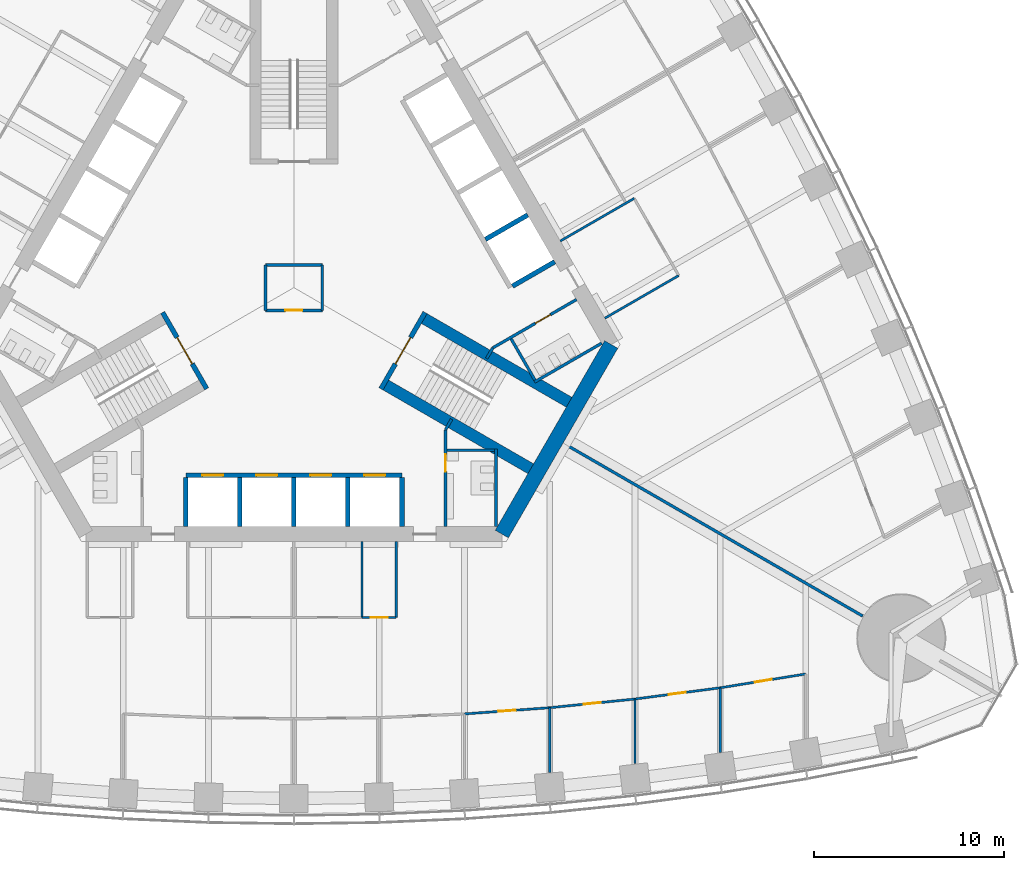
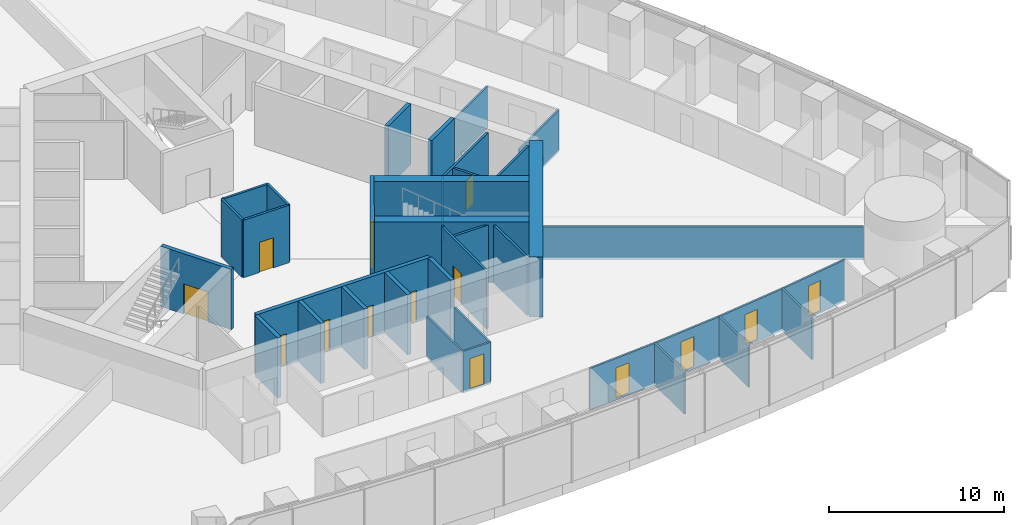
# One storey, part 11 of 19: 38 walls, 14 doors, 14 openings.
"""IFC4 building model written with IfcOpenShell, lengths in metres."""

from ifc_helpers import new_model, si_unit, direction, frame, frame_2d, origin, place, context, subcontext, project, spatial, rectangle, extrude, material, layer, layer_set, type_object, element, fill, save


model = new_model("IFC4")

# Units and contexts
model_context = context("Model", 3, precision=1e-05, world=origin(), true_north=direction((0.0, 1.0)))
body_context = subcontext(model_context, "Body", "Model", "MODEL_VIEW")
ifc_project = project(units=[si_unit("LENGTHUNIT", "METRE"), si_unit("AREAUNIT", "SQUARE_METRE"), si_unit("VOLUMEUNIT", "CUBIC_METRE"), si_unit("PLANEANGLEUNIT", "RADIAN"), si_unit("MASSUNIT", "GRAM", prefix="KILO")], contexts=[model_context])

# Site, building, storey
site_placement = place(None, origin())
site = spatial("IfcSite", under=ifc_project, at=site_placement, CompositionType="ELEMENT")
building_placement = place(site_placement, origin())
building = spatial("IfcBuilding", under=site, at=building_placement, Name="Trefoil Bronze Tower", CompositionType="ELEMENT")
storey_placement = place(building_placement, frame((0.0, 0.0, 20.699951171875)))
storey = spatial("IfcBuildingStorey", under=building, at=storey_placement, Name="L04", CompositionType="ELEMENT", Elevation=20.699951171875)

# Wall
ifc_material_1 = material(Name="Concrete B80", Category="concrete")
ifc_layer_1 = layer(ifc_material_1, 0.800048828125)
ifc_layer_set_1 = layer_set([ifc_layer_1], Name="Core wall 800")
wall_type_1 = type_object("IfcWallType", Name="Core wall 800", PredefinedType="SHEAR", material=ifc_layer_set_1)
wall_1_placement = place(storey_placement, frame((10.9697265625, -13.0, 0.0), z_axis=(0.0, 0.0, 1.0), x_axis=(0.499995765644, 0.866027848477, 0.0)))
element("IfcWall", 1, at=wall_1_placement, inside=storey, type_object=wall_type_1, Name="Core short wall 1 L04", PredefinedType="SHEAR", context=body_context, shape_type="SweptSolid", body=[
    extrude(rectangle(XDim=11.546875, YDim=0.800048828125, at=frame_2d((5.7734375, 0.0))), origin(), (0.0, 0.0, 1.0), 4.199951171875),
])

# Wall, opening, door
ifc_material_2 = material(Name="Glazed partition", Category="glass")
ifc_layer_2 = layer(ifc_material_2, 0.1201171875)
ifc_layer_set_2 = layer_set([ifc_layer_2], Name="Glazed partition 120")
wall_type_2 = type_object("IfcWallType", Name="Glazed partition 120", PredefinedType="PARTITIONING", material=ifc_layer_set_2)
wall_2_placement = place(storey_placement, frame((3.60009765625, -17.39990234375, 0.0), z_axis=(0.0, 0.0, 1.0), x_axis=(1.0, 0.0, 0.0)))
wall_2 = element("IfcWall", 2, at=wall_2_placement, inside=storey, type_object=wall_type_2, Name="Partition F1 L04", PredefinedType="PARTITIONING", context=body_context, shape_type="SweptSolid", body=[
    extrude(rectangle(XDim=1.7998046875, YDim=0.1201171875, at=frame_2d((0.89990234375, 0.0))), origin(), (0.0, 0.0, 1.0), 2.900146484375),
])
opening_1_placement = place(wall_2_placement, frame((0.449951171875, 0.0, 0.14990234375)))
opening_1 = element("IfcOpeningElement", 3, at=opening_1_placement, cuts=wall_2, Name="Opening D8", PredefinedType="OPENING", context=body_context, shape_type="SweptSolid", body=[
    extrude(rectangle(XDim=0.89990234375, YDim=2.10009765625, at=frame_2d((0.449951171875, 1.050048828125))), frame((0.0, 0.070068359375, 0.0), z_axis=(0.0, -1.0, 0.0), x_axis=(1.0, 0.0, 0.0)), (0.0, 0.0, 1.0), 0.14013671875),
])
ifc_material_3 = material(Name="Timber door", Category="wood")
door_type_1 = type_object("IfcDoorType", Name="Office door 900", OperationType="SINGLE_SWING_LEFT", PredefinedType="DOOR", material=ifc_material_3)
door_1_placement = place(opening_1_placement, origin())
door_1 = element("IfcDoor", 4, at=door_1_placement, inside=storey, type_object=door_type_1, Name="Phone room door F1 L04", OperationType="SINGLE_SWING_LEFT", OverallHeight=2.10009765625, OverallWidth=0.89990234375, PredefinedType="DOOR", context=body_context, shape_type="SweptSolid", body=[
    extrude(rectangle(XDim=0.89990234375, YDim=2.10009765625, at=frame_2d((0.449951171875, 1.050048828125))), frame((0.0, 0.02490234375, 0.0), z_axis=(0.0, -1.0, 0.0), x_axis=(1.0, 0.0, 0.0)), (0.0, 0.0, 1.0), 0.050048828125),
])
fill(opening_1, door_1)

# Walls
for number, where, z_axis, x_axis, name in (
    (5, (3.60009765625, -13.39990234375, 0.0), (0.0, 0.0, 1.0), (0.0, -1.0, 0.0), "Partition F1 L04"),
    (6, (5.39990234375, -13.39990234375, 0.0), (0.0, 0.0, 1.0), (0.0, -1.0, 0.0), "Partition F1 L04"),
):
    element("IfcWall", number, at=place(storey_placement, frame(where, z_axis=z_axis, x_axis=x_axis)), inside=storey, type_object=wall_type_2, Name=name, PredefinedType="PARTITIONING", context=body_context, shape_type="SweptSolid", body=[
        extrude(rectangle(XDim=4.0, YDim=0.1201171875, at=frame_2d((2.0, 0.0))), origin(), (0.0, 0.0, 1.0), 2.900146484375),
    ])

# Wall, opening, door
wall_3_placement = place(storey_placement, frame((13.5, -22.159912109375, 0.0), z_axis=(0.0, 0.0, 1.0), x_axis=(0.994833141332, 0.101523499286, 0.0)))
wall_3 = element("IfcWall", 7, at=wall_3_placement, inside=storey, type_object=wall_type_2, Name="Partition F1 L04", PredefinedType="PARTITIONING", context=body_context, shape_type="SweptSolid", body=[
    extrude(rectangle(XDim=4.5234375, YDim=0.1201171875, at=frame_2d((2.26171875, 0.0))), origin(), (0.0, 0.0, 1.0), 2.900146484375),
])
opening_2_placement = place(wall_3_placement, frame((1.800048828125, 0.0, 0.14990234375)))
opening_2 = element("IfcOpeningElement", 8, at=opening_2_placement, cuts=wall_3, Name="Opening D8", PredefinedType="OPENING", context=body_context, shape_type="SweptSolid", body=[
    extrude(rectangle(XDim=0.89990234375, YDim=2.10009765625, at=frame_2d((0.449951171875, 1.050048828125))), frame((0.0, 0.070068359375, 0.0), z_axis=(0.0, -1.0, 0.0), x_axis=(1.0, 0.0, 0.0)), (0.0, 0.0, 1.0), 0.14013671875),
])
door_2_placement = place(opening_2_placement, frame((0.89990234375, 0.0, 0.0), z_axis=(0.0, 0.0, 1.0), x_axis=(-1.0, 0.0, 0.0)))
door_2 = element("IfcDoor", 9, at=door_2_placement, inside=storey, type_object=door_type_1, Name="Office door F1 L04", OperationType="SINGLE_SWING_RIGHT", OverallHeight=2.10009765625, OverallWidth=0.89990234375, PredefinedType="DOOR", context=body_context, shape_type="SweptSolid", body=[
    extrude(rectangle(XDim=0.89990234375, YDim=2.10009765625, at=frame_2d((0.449951171875, 1.050048828125))), frame((0.0, 0.02490234375, 0.0), z_axis=(0.0, -1.0, 0.0), x_axis=(1.0, 0.0, 0.0)), (0.0, 0.0, 1.0), 0.050048828125),
])
fill(opening_2, door_2)

wall_4_placement = place(storey_placement, frame((18.0, -21.70068359375, 0.0), z_axis=(0.0, 0.0, 1.0), x_axis=(0.991435244698, 0.130599217346, 0.0)))
wall_4 = element("IfcWall", 10, at=wall_4_placement, inside=storey, type_object=wall_type_2, Name="Partition F1 L04", PredefinedType="PARTITIONING", context=body_context, shape_type="SweptSolid", body=[
    extrude(rectangle(XDim=4.538818359375, YDim=0.1201171875, at=frame_2d((2.26953125, 0.0))), origin(), (0.0, 0.0, 1.0), 2.900146484375),
])
opening_3_placement = place(wall_4_placement, frame((1.800048828125, 0.0, 0.14990234375)))
opening_3 = element("IfcOpeningElement", 11, at=opening_3_placement, cuts=wall_4, Name="Opening D8", PredefinedType="OPENING", context=body_context, shape_type="SweptSolid", body=[
    extrude(rectangle(XDim=0.89990234375, YDim=2.10009765625, at=frame_2d((0.449951171875, 1.050048828125))), frame((0.0, 0.070068359375, 0.0), z_axis=(0.0, -1.0, 0.0), x_axis=(1.0, 0.0, 0.0)), (0.0, 0.0, 1.0), 0.14013671875),
])
door_3_placement = place(opening_3_placement, frame((0.89990234375, 0.0, 0.0), z_axis=(0.0, 0.0, 1.0), x_axis=(-1.0, 0.0, 0.0)))
door_3 = element("IfcDoor", 12, at=door_3_placement, inside=storey, type_object=door_type_1, Name="Office door F1 L04", OperationType="SINGLE_SWING_RIGHT", OverallHeight=2.10009765625, OverallWidth=0.89990234375, PredefinedType="DOOR", context=body_context, shape_type="SweptSolid", body=[
    extrude(rectangle(XDim=0.89990234375, YDim=2.10009765625, at=frame_2d((0.449951171875, 1.050048828125))), frame((0.0, 0.02490234375, 0.0), z_axis=(0.0, -1.0, 0.0), x_axis=(1.0, 0.0, 0.0)), (0.0, 0.0, 1.0), 0.050048828125),
])
fill(opening_3, door_3)

wall_5_placement = place(storey_placement, frame((22.5, -21.10791015625, 0.0), z_axis=(0.0, 0.0, 1.0), x_axis=(0.987181300889, 0.159602879593, 0.0)))
wall_5 = element("IfcWall", 13, at=wall_5_placement, inside=storey, type_object=wall_type_2, Name="Partition F1 L04", PredefinedType="PARTITIONING", context=body_context, shape_type="SweptSolid", body=[
    extrude(rectangle(XDim=4.558349609375, YDim=0.1201171875, at=frame_2d((2.279296875, 0.0))), origin(), (0.0, 0.0, 1.0), 2.900146484375),
])
opening_4_placement = place(wall_5_placement, frame((1.85009765625, 0.0, 0.14990234375)))
opening_4 = element("IfcOpeningElement", 14, at=opening_4_placement, cuts=wall_5, Name="Opening D8", PredefinedType="OPENING", context=body_context, shape_type="SweptSolid", body=[
    extrude(rectangle(XDim=0.89990234375, YDim=2.10009765625, at=frame_2d((0.449951171875, 1.050048828125))), frame((0.0, 0.070068359375, 0.0), z_axis=(0.0, -1.0, 0.0), x_axis=(1.0, 0.0, 0.0)), (0.0, 0.0, 1.0), 0.14013671875),
])
door_4_placement = place(opening_4_placement, frame((0.89990234375, 0.0, 0.0), z_axis=(0.0, 0.0, 1.0), x_axis=(-1.0, 0.0, 0.0)))
door_4 = element("IfcDoor", 15, at=door_4_placement, inside=storey, type_object=door_type_1, Name="Office door F1 L04", OperationType="SINGLE_SWING_LEFT", OverallHeight=2.10009765625, OverallWidth=0.89990234375, PredefinedType="DOOR", context=body_context, shape_type="SweptSolid", body=[
    extrude(rectangle(XDim=0.89990234375, YDim=2.10009765625, at=frame_2d((0.449951171875, 1.050048828125))), frame((0.0, 0.02490234375, 0.0), z_axis=(0.0, -1.0, 0.0), x_axis=(1.0, 0.0, 0.0)), (0.0, 0.0, 1.0), 0.050048828125),
])
fill(opening_4, door_4)

wall_6_placement = place(storey_placement, frame((9.0, -22.4873046875, 0.0), z_axis=(0.0, 0.0, 1.0), x_axis=(0.997363894896, 0.072562119306, 0.0)))
wall_6 = element("IfcWall", 16, at=wall_6_placement, inside=storey, type_object=wall_type_2, Name="Partition F1 L04", PredefinedType="PARTITIONING", context=body_context, shape_type="SweptSolid", body=[
    extrude(rectangle(XDim=4.511962890625, YDim=0.1201171875, at=frame_2d((2.255859375, 0.0))), origin(), (0.0, 0.0, 1.0), 2.900146484375),
])
opening_5_placement = place(wall_6_placement, frame((1.800048828125, 0.0, 0.14990234375)))
opening_5 = element("IfcOpeningElement", 17, at=opening_5_placement, cuts=wall_6, Name="Opening D8", PredefinedType="OPENING", context=body_context, shape_type="SweptSolid", body=[
    extrude(rectangle(XDim=0.89990234375, YDim=2.10009765625, at=frame_2d((0.449951171875, 1.050048828125))), frame((0.0, 0.070068359375, 0.0), z_axis=(0.0, -1.0, 0.0), x_axis=(1.0, 0.0, 0.0)), (0.0, 0.0, 1.0), 0.14013671875),
])
door_5_placement = place(opening_5_placement, frame((0.89990234375, 0.0, 0.0), z_axis=(0.0, 0.0, 1.0), x_axis=(-1.0, 0.0, 0.0)))
door_5 = element("IfcDoor", 18, at=door_5_placement, inside=storey, type_object=door_type_1, Name="Office door F1 L04", OperationType="SINGLE_SWING_RIGHT", OverallHeight=2.10009765625, OverallWidth=0.89990234375, PredefinedType="DOOR", context=body_context, shape_type="SweptSolid", body=[
    extrude(rectangle(XDim=0.89990234375, YDim=2.10009765625, at=frame_2d((0.449951171875, 1.050048828125))), frame((0.0, 0.02490234375, 0.0), z_axis=(0.0, -1.0, 0.0), x_axis=(1.0, 0.0, 0.0)), (0.0, 0.0, 1.0), 0.050048828125),
])
fill(opening_5, door_5)

# Walls
wall_7_placement = place(storey_placement, frame((13.5, -22.159912109375, 0.0), z_axis=(0.0, 0.0, 1.0), x_axis=(0.0, -1.0, 0.0)))
element("IfcWall", 19, at=wall_7_placement, inside=storey, type_object=wall_type_2, Name="Partition F1 L04", PredefinedType="PARTITIONING", context=body_context, shape_type="SweptSolid", body=[
    extrude(rectangle(XDim=3.4140625, YDim=0.1201171875, at=frame_2d((1.70703125, 0.0))), origin(), (0.0, 0.0, 1.0), 2.900146484375),
])
wall_8_placement = place(storey_placement, frame((18.0, -21.70068359375, 0.0), z_axis=(0.0, 0.0, 1.0), x_axis=(0.0, -1.0, 0.0)))
element("IfcWall", 20, at=wall_8_placement, inside=storey, type_object=wall_type_2, Name="Partition F1 L04", PredefinedType="PARTITIONING", context=body_context, shape_type="SweptSolid", body=[
    extrude(rectangle(XDim=3.4091796875, YDim=0.1201171875, at=frame_2d((1.70458984375, 0.0))), origin(), (0.0, 0.0, 1.0), 2.900146484375),
])
wall_9_placement = place(storey_placement, frame((22.5, -21.10791015625, 0.0), z_axis=(0.0, 0.0, 1.0), x_axis=(0.0, -1.0, 0.0)))
element("IfcWall", 21, at=wall_9_placement, inside=storey, type_object=wall_type_2, Name="Partition F1 L04", PredefinedType="PARTITIONING", context=body_context, shape_type="SweptSolid", body=[
    extrude(rectangle(XDim=3.4033203125, YDim=0.1201171875, at=frame_2d((1.70166015625, 0.0))), origin(), (0.0, 0.0, 1.0), 2.900146484375),
])
wall_10_placement = place(storey_placement, frame((14.0546875, 2.45654296875, 0.0), z_axis=(0.0, 0.0, 1.0), x_axis=(0.866031096941, 0.499990139034, 0.0)))
element("IfcWall", 22, at=wall_10_placement, inside=storey, type_object=wall_type_2, Name="Partition F2 L04", PredefinedType="PARTITIONING", context=body_context, shape_type="SweptSolid", body=[
    extrude(rectangle(XDim=4.5, YDim=0.1201171875, at=frame_2d((2.25, 0.0))), origin(), (0.0, 0.0, 1.0), 2.900146484375),
])
wall_11_placement = place(storey_placement, frame((16.40478515625, -1.61376953125, 0.0), z_axis=(0.0, 0.0, 1.0), x_axis=(0.866017533419, 0.500013631625, 0.0)))
element("IfcWall", 23, at=wall_11_placement, inside=storey, type_object=wall_type_2, Name="Partition F2 L04", PredefinedType="PARTITIONING", context=body_context, shape_type="SweptSolid", body=[
    extrude(rectangle(XDim=4.499755859375, YDim=0.1201171875, at=frame_2d((2.25, 0.0))), origin(), (0.0, 0.0, 1.0), 2.900146484375),
])

# Wall, opening, door
ifc_material_4 = material(Name="Gypsum board on steel studs", Category="steel")
ifc_layer_3 = layer(ifc_material_4, 0.14990234375)
ifc_layer_set_3 = layer_set([ifc_layer_3], Name="Partition 150")
wall_type_3 = type_object("IfcWallType", Name="Partition 150", PredefinedType="PARTITIONING", material=ifc_layer_set_3)
wall_12_placement = place(storey_placement, frame((8.0, -7.5, 0.0), z_axis=(0.0, 0.0, 1.0), x_axis=(0.0, -1.0, 0.0)))
wall_12 = element("IfcWall", 24, at=wall_12_placement, inside=storey, type_object=wall_type_3, Name="Passage wall F1+ L04", PredefinedType="PARTITIONING", context=body_context, shape_type="SweptSolid", body=[
    extrude(rectangle(XDim=5.10009765625, YDim=0.14990234375, at=frame_2d((2.550048828125, 0.0))), origin(), (0.0, 0.0, 1.0), 4.0),
])
opening_6_placement = place(wall_12_placement, frame((1.300048828125, 0.0, 0.0)))
opening_6 = element("IfcOpeningElement", 25, at=opening_6_placement, cuts=wall_12, Name="Opening D3", PredefinedType="OPENING", context=body_context, shape_type="SweptSolid", body=[
    extrude(rectangle(XDim=0.89990234375, YDim=2.10009765625, at=frame_2d((0.449951171875, 1.050048828125))), frame((0.0, 0.0849609375, 0.0), z_axis=(0.0, -1.0, 0.0), x_axis=(1.0, 0.0, 0.0)), (0.0, 0.0, 1.0), 0.169921875),
])
ifc_material_5 = material(Name="Timber door", Category="wood")
door_type_2 = type_object("IfcDoorType", Name="WC door 900", OperationType="SINGLE_SWING_LEFT", PredefinedType="DOOR", material=ifc_material_5)
door_6_placement = place(opening_6_placement, origin())
door_6 = element("IfcDoor", 26, at=door_6_placement, inside=storey, type_object=door_type_2, Name="WC (men) door L04", OperationType="SINGLE_SWING_LEFT", OverallHeight=2.10009765625, OverallWidth=0.89990234375, PredefinedType="DOOR", context=body_context, shape_type="SweptSolid", body=[
    extrude(rectangle(XDim=0.89990234375, YDim=2.10009765625, at=frame_2d((0.449951171875, 1.050048828125))), frame((0.0, 0.02490234375, 0.0), z_axis=(0.0, -1.0, 0.0), x_axis=(1.0, 0.0, 0.0)), (0.0, 0.0, 1.0), 0.050048828125),
])
fill(opening_6, door_6)

wall_13_placement = place(storey_placement, frame((10.4951171875, -3.17822265625, 0.0), z_axis=(0.0, 0.0, 1.0), x_axis=(0.86602216432, 0.500005610874, 0.0)))
wall_13 = element("IfcWall", 27, at=wall_13_placement, inside=storey, type_object=wall_type_3, Name="Passage wall F2- L04", PredefinedType="PARTITIONING", context=body_context, shape_type="SweptSolid", body=[
    extrude(rectangle(XDim=5.10009765625, YDim=0.14990234375, at=frame_2d((2.550048828125, 0.0))), origin(), (0.0, 0.0, 1.0), 4.0),
])
opening_7_placement = place(wall_13_placement, frame((2.60009765625, 0.0, 0.0)))
opening_7 = element("IfcOpeningElement", 28, at=opening_7_placement, cuts=wall_13, Name="Opening D3", PredefinedType="OPENING", context=body_context, shape_type="SweptSolid", body=[
    extrude(rectangle(XDim=0.89990234375, YDim=2.10009765625, at=frame_2d((0.449951171875, 1.050048828125))), frame((0.0, 0.0849609375, 0.0), z_axis=(0.0, -1.0, 0.0), x_axis=(1.0, 0.0, 0.0)), (0.0, 0.0, 1.0), 0.169921875),
])
door_7_placement = place(opening_7_placement, frame((0.89990234375, 0.0, 0.0), z_axis=(0.0, 0.0, 1.0), x_axis=(-1.0, 0.0, 0.0)))
door_7 = element("IfcDoor", 29, at=door_7_placement, inside=storey, type_object=door_type_2, Name="WC (women) door L04", OperationType="SINGLE_SWING_RIGHT", OverallHeight=2.10009765625, OverallWidth=0.89990234375, PredefinedType="DOOR", context=body_context, shape_type="SweptSolid", body=[
    extrude(rectangle(XDim=0.89990234375, YDim=2.10009765625, at=frame_2d((0.449951171875, 1.050048828125))), frame((0.0, 0.02490234375, 0.0), z_axis=(0.0, -1.0, 0.0), x_axis=(1.0, 0.0, 0.0)), (0.0, 0.0, 1.0), 0.050048828125),
])
fill(opening_7, door_7)

# Walls
for number, where, z_axis, x_axis, name in (
    (30, (8.0, -7.5, 0.0), (0.0, 0.0, 1.0), (0.499842556608, 0.866116284689, 0.0), "WC wall ST1-1 L04"),
    (31, (10.4951171875, -3.17822265625, 0.0), (0.0, 0.0, 1.0), (-0.499842556608, -0.866116284689, 0.0), "WC wall ST1+1 L04"),
):
    element("IfcWall", number, at=place(storey_placement, frame(where, z_axis=z_axis, x_axis=x_axis)), inside=storey, type_object=wall_type_3, Name=name, PredefinedType="PARTITIONING", context=body_context, shape_type="SweptSolid", body=[
        extrude(rectangle(XDim=0.645263671875, YDim=0.14990234375, at=frame_2d((0.32275390625, 0.0))), origin(), (0.0, 0.0, 1.0), 4.0),
    ])
wall_14_placement = place(storey_placement, frame((10.659912109375, -8.5, 0.0), z_axis=(0.0, 0.0, 1.0), x_axis=(0.0, -1.0, 0.0)))
element("IfcWall", 32, at=wall_14_placement, inside=storey, type_object=wall_type_3, Name="WC partition WC (men) L04", PredefinedType="PARTITIONING", context=body_context, shape_type="SweptSolid", body=[
    extrude(rectangle(XDim=4.10009765625, YDim=0.14990234375, at=frame_2d((2.050048828125, 0.0))), origin(), (0.0, 0.0, 1.0), 4.0),
])
wall_15_placement = place(storey_placement, frame((8.074951171875, -8.574951171875, 0.0), z_axis=(0.0, 0.0, 1.0), x_axis=(1.0, 0.0, 0.0)))
element("IfcWall", 33, at=wall_15_placement, inside=storey, type_object=wall_type_3, Name="WC partition WC (men) L04", PredefinedType="PARTITIONING", context=body_context, shape_type="SweptSolid", body=[
    extrude(rectangle(XDim=2.510009765625, YDim=0.14990234375, at=frame_2d((1.2548828125, 0.0))), origin(), (0.0, 0.0, 1.0), 4.0),
])
wall_16_placement = place(storey_placement, frame((12.691162109375, -4.98193359375, 0.0), z_axis=(0.0, 0.0, 1.0), x_axis=(0.8660249478, 0.500000789788, 0.0)))
element("IfcWall", 34, at=wall_16_placement, inside=storey, type_object=wall_type_3, Name="WC partition WC (women) L04", PredefinedType="PARTITIONING", context=body_context, shape_type="SweptSolid", body=[
    extrude(rectangle(XDim=4.10009765625, YDim=0.14990234375, at=frame_2d((2.050048828125, 0.0))), origin(), (0.0, 0.0, 1.0), 4.0),
])
wall_17_placement = place(storey_placement, frame((11.463623046875, -2.70556640625, 0.0), z_axis=(0.0, 0.0, 1.0), x_axis=(0.50001992892, -0.866013897511, 0.0)))
element("IfcWall", 35, at=wall_17_placement, inside=storey, type_object=wall_type_3, Name="WC partition WC (women) L04", PredefinedType="PARTITIONING", context=body_context, shape_type="SweptSolid", body=[
    extrude(rectangle(XDim=2.51025390625, YDim=0.14990234375, at=frame_2d((1.255126953125, 0.0))), origin(), (0.0, 0.0, 1.0), 4.0),
])
ifc_material_6 = material(Name="Gypsum board on steel studs", Category="steel")
ifc_layer_4 = layer(ifc_material_6, 0.14990234375)
ifc_layer_set_4 = layer_set([ifc_layer_4], Name="Party wall 150")
wall_type_4 = type_object("IfcWallType", Name="Party wall 150", PredefinedType="PARTITIONING", material=ifc_layer_set_4)
wall_18_placement = place(storey_placement, frame((14.202880859375, -8.199951171875, 0.0), z_axis=(0.0, 0.0, 1.0), x_axis=(0.866024965723, -0.500000758745, 0.0)))
element("IfcWall", 36, at=wall_18_placement, inside=storey, type_object=wall_type_4, Name="Party wall K1 L04", PredefinedType="PARTITIONING", context=body_context, shape_type="SweptSolid", body=[
    extrude(rectangle(XDim=18.25, YDim=0.14990234375, at=frame_2d((9.125, 0.0))), origin(), (0.0, 0.0, 1.0), 2.300048828125),
])

# Wall, opening, door
ifc_material_7 = material(Name="Gypsum board on steel studs", Category="steel")
ifc_layer_5 = layer(ifc_material_7, 0.14990234375)
ifc_layer_set_5 = layer_set([ifc_layer_5], Name="Riser wall 150")
wall_type_5 = type_object("IfcWallType", Name="Riser wall 150", PredefinedType="PARTITIONING", material=ifc_layer_set_5)
wall_19_placement = place(storey_placement, frame((-1.5, -1.199951171875, 0.0), z_axis=(0.0, 0.0, 1.0), x_axis=(1.0, 0.0, 0.0)))
wall_19 = element("IfcWall", 37, at=wall_19_placement, inside=storey, type_object=wall_type_5, Name="Riser wall L04", PredefinedType="PARTITIONING", context=body_context, shape_type="SweptSolid", body=[
    extrude(rectangle(XDim=3.0, YDim=0.14990234375, at=frame_2d((1.5, 0.0))), origin(), (0.0, 0.0, 1.0), 4.0),
])
opening_8_placement = place(wall_19_placement, frame((1.050048828125, 0.0, 0.0)))
opening_8 = element("IfcOpeningElement", 38, at=opening_8_placement, cuts=wall_19, Name="Opening D4", PredefinedType="OPENING", context=body_context, shape_type="SweptSolid", body=[
    extrude(rectangle(XDim=0.89990234375, YDim=2.10009765625, at=frame_2d((0.449951171875, 1.050048828125))), frame((0.0, 0.0849609375, 0.0), z_axis=(0.0, -1.0, 0.0), x_axis=(1.0, 0.0, 0.0)), (0.0, 0.0, 1.0), 0.169921875),
])
ifc_material_8 = material(Name="Steel door", Category="steel")
door_type_3 = type_object("IfcDoorType", Name="Riser door 900", OperationType="SINGLE_SWING_LEFT", PredefinedType="DOOR", material=ifc_material_8)
door_8_placement = place(opening_8_placement, frame((0.89990234375, 0.0, 0.0), z_axis=(0.0, 0.0, 1.0), x_axis=(-1.0, 0.0, 0.0)))
door_8 = element("IfcDoor", 39, at=door_8_placement, inside=storey, type_object=door_type_3, Name="Riser door L04", OperationType="SINGLE_SWING_LEFT", OverallHeight=2.10009765625, OverallWidth=0.89990234375, PredefinedType="DOOR", context=body_context, shape_type="SweptSolid", body=[
    extrude(rectangle(XDim=0.89990234375, YDim=2.10009765625, at=frame_2d((0.449951171875, 1.050048828125))), frame((0.0, 0.02490234375, 0.0), z_axis=(0.0, -1.0, 0.0), x_axis=(1.0, 0.0, 0.0)), (0.0, 0.0, 1.0), 0.050048828125),
])
fill(opening_8, door_8)

# Walls
wall_20_placement = place(storey_placement, frame((1.5, -1.199951171875, 0.0), z_axis=(0.0, 0.0, 1.0), x_axis=(0.0, 1.0, 0.0)))
element("IfcWall", 40, at=wall_20_placement, inside=storey, type_object=wall_type_5, Name="Riser wall L04", PredefinedType="PARTITIONING", context=body_context, shape_type="SweptSolid", body=[
    extrude(rectangle(XDim=2.39990234375, YDim=0.14990234375, at=frame_2d((1.199951171875, 0.0))), origin(), (0.0, 0.0, 1.0), 4.0),
])
wall_21_placement = place(storey_placement, frame((1.5, 1.199951171875, 0.0), z_axis=(0.0, 0.0, 1.0), x_axis=(-1.0, 0.0, 0.0)))
element("IfcWall", 41, at=wall_21_placement, inside=storey, type_object=wall_type_5, Name="Riser wall L04", PredefinedType="PARTITIONING", context=body_context, shape_type="SweptSolid", body=[
    extrude(rectangle(XDim=3.0, YDim=0.14990234375, at=frame_2d((1.5, 0.0))), origin(), (0.0, 0.0, 1.0), 4.0),
])
wall_22_placement = place(storey_placement, frame((-1.5, 1.199951171875, 0.0), z_axis=(0.0, 0.0, 1.0), x_axis=(0.0, -1.0, 0.0)))
element("IfcWall", 42, at=wall_22_placement, inside=storey, type_object=wall_type_5, Name="Riser wall L04", PredefinedType="PARTITIONING", context=body_context, shape_type="SweptSolid", body=[
    extrude(rectangle(XDim=2.39990234375, YDim=0.14990234375, at=frame_2d((1.199951171875, 0.0))), origin(), (0.0, 0.0, 1.0), 4.0),
])

# Wall, openings, doors
ifc_material_9 = material(Name="Concrete B80", Category="concrete")
ifc_layer_6 = layer(ifc_material_9, 0.25)
ifc_layer_set_6 = layer_set([ifc_layer_6], Name="Shaft wall 250")
wall_type_6 = type_object("IfcWallType", Name="Shaft wall 250", PredefinedType="SHEAR", material=ifc_layer_set_6)
wall_23_placement = place(storey_placement, frame((-5.699951171875, -9.89990234375, 0.0), z_axis=(0.0, 0.0, 1.0), x_axis=(1.0, 0.0, 0.0)))
wall_23 = element("IfcWall", 43, at=wall_23_placement, inside=storey, type_object=wall_type_6, Name="Lift shaft front wall A L04", PredefinedType="SHEAR", context=body_context, shape_type="SweptSolid", body=[
    extrude(rectangle(XDim=11.39990234375, YDim=0.25, at=frame_2d((5.699951171875, 0.0))), origin(), (0.0, 0.0, 1.0), 4.199951171875),
])
opening_9_placement = place(wall_23_placement, frame((0.875, 0.0, 0.0)))
opening_9 = element("IfcOpeningElement", 44, at=opening_9_placement, cuts=wall_23, Name="Opening LD-P11", PredefinedType="OPENING", context=body_context, shape_type="SweptSolid", body=[
    extrude(rectangle(XDim=1.10009765625, YDim=2.199951171875, at=frame_2d((0.550048828125, 1.10009765625))), frame((0.0, 0.135009765625, 0.0), z_axis=(0.0, -1.0, 0.0), x_axis=(1.0, 0.0, 0.0)), (0.0, 0.0, 1.0), 0.27001953125),
])
opening_10_placement = place(wall_23_placement, frame((3.72509765625, 0.0, 0.0)))
opening_10 = element("IfcOpeningElement", 45, at=opening_10_placement, cuts=wall_23, Name="Opening LD-P12", PredefinedType="OPENING", context=body_context, shape_type="SweptSolid", body=[
    extrude(rectangle(XDim=1.10009765625, YDim=2.199951171875, at=frame_2d((0.550048828125, 1.10009765625))), frame((0.0, 0.135009765625, 0.0), z_axis=(0.0, -1.0, 0.0), x_axis=(1.0, 0.0, 0.0)), (0.0, 0.0, 1.0), 0.27001953125),
])
opening_11_placement = place(wall_23_placement, frame((6.574951171875, 0.0, 0.0)))
opening_11 = element("IfcOpeningElement", 46, at=opening_11_placement, cuts=wall_23, Name="Opening LD-P13", PredefinedType="OPENING", context=body_context, shape_type="SweptSolid", body=[
    extrude(rectangle(XDim=1.10009765625, YDim=2.199951171875, at=frame_2d((0.550048828125, 1.10009765625))), frame((0.0, 0.135009765625, 0.0), z_axis=(0.0, -1.0, 0.0), x_axis=(1.0, 0.0, 0.0)), (0.0, 0.0, 1.0), 0.27001953125),
])
opening_12_placement = place(wall_23_placement, frame((9.425048828125, 0.0, 0.0)))
opening_12 = element("IfcOpeningElement", 47, at=opening_12_placement, cuts=wall_23, Name="Opening LD-P14", PredefinedType="OPENING", context=body_context, shape_type="SweptSolid", body=[
    extrude(rectangle(XDim=1.10009765625, YDim=2.199951171875, at=frame_2d((0.550048828125, 1.10009765625))), frame((0.0, 0.135009765625, 0.0), z_axis=(0.0, -1.0, 0.0), x_axis=(1.0, 0.0, 0.0)), (0.0, 0.0, 1.0), 0.27001953125),
])
ifc_material_10 = material(Name="Steel door", Category="steel")
door_type_4 = type_object("IfcDoorType", Name="Lift landing door 1100", OperationType="DOUBLE_DOOR_SLIDING", PredefinedType="DOOR", material=ifc_material_10)
door_9_placement = place(opening_9_placement, origin())
door_9 = element("IfcDoor", 48, at=door_9_placement, inside=storey, type_object=door_type_4, Name="Lift P11 landing door L04", OperationType="DOUBLE_DOOR_SLIDING", OverallHeight=2.199951171875, OverallWidth=1.10009765625, PredefinedType="DOOR", context=body_context, shape_type="SweptSolid", body=[
    extrude(rectangle(XDim=1.10009765625, YDim=2.199951171875, at=frame_2d((0.550048828125, 1.10009765625))), frame((0.0, 0.02490234375, 0.0), z_axis=(0.0, -1.0, 0.0), x_axis=(1.0, 0.0, 0.0)), (0.0, 0.0, 1.0), 0.050048828125),
])
fill(opening_9, door_9)
door_10_placement = place(opening_10_placement, origin())
door_10 = element("IfcDoor", 49, at=door_10_placement, inside=storey, type_object=door_type_4, Name="Lift P12 landing door L04", OperationType="DOUBLE_DOOR_SLIDING", OverallHeight=2.199951171875, OverallWidth=1.10009765625, PredefinedType="DOOR", context=body_context, shape_type="SweptSolid", body=[
    extrude(rectangle(XDim=1.10009765625, YDim=2.199951171875, at=frame_2d((0.550048828125, 1.10009765625))), frame((0.0, 0.02490234375, 0.0), z_axis=(0.0, -1.0, 0.0), x_axis=(1.0, 0.0, 0.0)), (0.0, 0.0, 1.0), 0.050048828125),
])
fill(opening_10, door_10)
door_11_placement = place(opening_11_placement, origin())
door_11 = element("IfcDoor", 50, at=door_11_placement, inside=storey, type_object=door_type_4, Name="Lift P13 landing door L04", OperationType="DOUBLE_DOOR_SLIDING", OverallHeight=2.199951171875, OverallWidth=1.10009765625, PredefinedType="DOOR", context=body_context, shape_type="SweptSolid", body=[
    extrude(rectangle(XDim=1.10009765625, YDim=2.199951171875, at=frame_2d((0.550048828125, 1.10009765625))), frame((0.0, 0.02490234375, 0.0), z_axis=(0.0, -1.0, 0.0), x_axis=(1.0, 0.0, 0.0)), (0.0, 0.0, 1.0), 0.050048828125),
])
fill(opening_11, door_11)
door_12_placement = place(opening_12_placement, origin())
door_12 = element("IfcDoor", 51, at=door_12_placement, inside=storey, type_object=door_type_4, Name="Lift P14 landing door L04", OperationType="DOUBLE_DOOR_SLIDING", OverallHeight=2.199951171875, OverallWidth=1.10009765625, PredefinedType="DOOR", context=body_context, shape_type="SweptSolid", body=[
    extrude(rectangle(XDim=1.10009765625, YDim=2.199951171875, at=frame_2d((0.550048828125, 1.10009765625))), frame((0.0, 0.02490234375, 0.0), z_axis=(0.0, -1.0, 0.0), x_axis=(1.0, 0.0, 0.0)), (0.0, 0.0, 1.0), 0.050048828125),
])
fill(opening_12, door_12)

# Walls
for number, where, z_axis, x_axis, name in (
    (52, (-5.699951171875, -10.02490234375, 0.0), (0.0, 0.0, 1.0), (0.0, -1.0, 0.0), "Lift shaft side wall A0 L04"),
    (53, (-2.85009765625, -10.02490234375, 0.0), (0.0, 0.0, 1.0), (0.0, -1.0, 0.0), "Lift shaft side wall A1 L04"),
    (54, (0.0, -10.02490234375, 0.0), (0.0, 0.0, 1.0), (0.0, -1.0, 0.0), "Lift shaft side wall A2 L04"),
    (55, (2.85009765625, -10.02490234375, 0.0), (0.0, 0.0, 1.0), (0.0, -1.0, 0.0), "Lift shaft side wall A3 L04"),
    (56, (5.699951171875, -10.02490234375, 0.0), (0.0, 0.0, 1.0), (0.0, -1.0, 0.0), "Lift shaft side wall A4 L04"),
):
    element("IfcWall", number, at=place(storey_placement, frame(where, z_axis=z_axis, x_axis=x_axis)), inside=storey, type_object=wall_type_6, Name=name, PredefinedType="SHEAR", context=body_context, shape_type="SweptSolid", body=[
        extrude(rectangle(XDim=2.5751953125, YDim=0.25, at=frame_2d((1.28759765625, 0.0))), origin(), (0.0, 0.0, 1.0), 4.199951171875),
    ])
for number, where, z_axis, x_axis, name in (
    (57, (11.531982421875, 0.076171875, 0.0), (0.0, 0.0, 1.0), (0.866005588531, 0.500034319456, 0.0), "Lift shaft side wall B0 L04"),
    (58, (10.10693359375, 2.54443359375, 0.0), (0.0, 0.0, 1.0), (0.866046643894, 0.499963209246, 0.0), "Lift shaft side wall B1 L04"),
):
    element("IfcWall", number, at=place(storey_placement, frame(where, z_axis=z_axis, x_axis=x_axis)), inside=storey, type_object=wall_type_6, Name=name, PredefinedType="SHEAR", context=body_context, shape_type="SweptSolid", body=[
        extrude(rectangle(XDim=2.574951171875, YDim=0.25, at=frame_2d((1.28759765625, 0.0))), origin(), (0.0, 0.0, 1.0), 4.199951171875),
    ])

# Wall, opening, door
wall_24_placement = place(storey_placement, frame((4.5966796875, -5.338623046875, 0.0), z_axis=(0.0, 0.0, 1.0), x_axis=(0.499984536904, 0.866034331223, 0.0)))
wall_24 = element("IfcWall", 59, at=wall_24_placement, inside=storey, type_object=wall_type_6, Name="Stair end wall ST1 L04", PredefinedType="SHEAR", context=body_context, shape_type="SweptSolid", body=[
    extrude(rectangle(XDim=4.650146484375, YDim=0.25, at=frame_2d((2.3251953125, 0.0))), origin(), (0.0, 0.0, 1.0), 4.199951171875),
])
opening_13_placement = place(wall_24_placement, frame((1.52490234375, 0.0, 0.0)))
opening_13 = element("IfcOpeningElement", 60, at=opening_13_placement, cuts=wall_24, Name="Opening D1", PredefinedType="OPENING", context=body_context, shape_type="SweptSolid", body=[
    extrude(rectangle(XDim=1.60009765625, YDim=2.10009765625, at=frame_2d((0.800048828125, 1.050048828125))), frame((0.0, 0.135009765625, 0.0), z_axis=(0.0, -1.0, 0.0), x_axis=(1.0, 0.0, 0.0)), (0.0, 0.0, 1.0), 0.27001953125),
])
ifc_material_11 = material(Name="Steel door", Category="steel")
door_type_5 = type_object("IfcDoorType", Name="Stair door 1600", OperationType="DOUBLE_DOOR_SINGLE_SWING", PredefinedType="DOOR", material=ifc_material_11)
door_13_placement = place(opening_13_placement, frame((1.60009765625, 0.0, 0.0), z_axis=(0.0, 0.0, 1.0), x_axis=(-1.0, 0.0, 0.0)))
door_13 = element("IfcDoor", 61, at=door_13_placement, inside=storey, type_object=door_type_5, Name="Stair door ST1 L04", OperationType="DOUBLE_DOOR_SINGLE_SWING", OverallHeight=2.10009765625, OverallWidth=1.60009765625, PredefinedType="DOOR", context=body_context, shape_type="SweptSolid", body=[
    extrude(rectangle(XDim=1.60009765625, YDim=2.10009765625, at=frame_2d((0.800048828125, 1.050048828125))), frame((0.0, 0.02490234375, 0.0), z_axis=(0.0, -1.0, 0.0), x_axis=(1.0, 0.0, 0.0)), (0.0, 0.0, 1.0), 0.050048828125),
])
fill(opening_13, door_13)

wall_25_placement = place(storey_placement, frame((-6.921630859375, -1.3115234375, 0.0), z_axis=(0.0, 0.0, 1.0), x_axis=(0.499984536904, -0.866034331223, 0.0)))
wall_25 = element("IfcWall", 62, at=wall_25_placement, inside=storey, type_object=wall_type_6, Name="Stair end wall ST3 L04", PredefinedType="SHEAR", context=body_context, shape_type="SweptSolid", body=[
    extrude(rectangle(XDim=4.650146484375, YDim=0.25, at=frame_2d((2.3251953125, 0.0))), origin(), (0.0, 0.0, 1.0), 4.199951171875),
])
opening_14_placement = place(wall_25_placement, frame((1.52490234375, 0.0, 0.0)))
opening_14 = element("IfcOpeningElement", 63, at=opening_14_placement, cuts=wall_25, Name="Opening D1", PredefinedType="OPENING", context=body_context, shape_type="SweptSolid", body=[
    extrude(rectangle(XDim=1.60009765625, YDim=2.10009765625, at=frame_2d((0.800048828125, 1.050048828125))), frame((0.0, 0.135009765625, 0.0), z_axis=(0.0, -1.0, 0.0), x_axis=(1.0, 0.0, 0.0)), (0.0, 0.0, 1.0), 0.27001953125),
])
door_14_placement = place(opening_14_placement, frame((1.60009765625, 0.0, 0.0), z_axis=(0.0, 0.0, 1.0), x_axis=(-1.0, 0.0, 0.0)))
door_14 = element("IfcDoor", 64, at=door_14_placement, inside=storey, type_object=door_type_5, Name="Stair door ST3 L04", OperationType="DOUBLE_DOOR_SINGLE_SWING", OverallHeight=2.10009765625, OverallWidth=1.60009765625, PredefinedType="DOOR", context=body_context, shape_type="SweptSolid", body=[
    extrude(rectangle(XDim=1.60009765625, YDim=2.10009765625, at=frame_2d((0.800048828125, 1.050048828125))), frame((0.0, 0.02490234375, 0.0), z_axis=(0.0, -1.0, 0.0), x_axis=(1.0, 0.0, 0.0)), (0.0, 0.0, 1.0), 0.050048828125),
])
fill(opening_14, door_14)

# Walls
ifc_material_12 = material(Name="Concrete B80", Category="concrete")
ifc_layer_7 = layer(ifc_material_12, 0.60009765625)
ifc_layer_set_7 = layer_set([ifc_layer_7], Name="Stair wall 600")
wall_type_7 = type_object("IfcWallType", Name="Stair wall 600", PredefinedType="SHEAR", material=ifc_layer_set_7)
for number, where, z_axis, x_axis, name in (
    (65, (4.638427734375, -5.01611328125, 0.0), (0.0, 0.0, 1.0), (0.866019375473, -0.500010441196, 0.0), "Stair wall ST1 L04"),
    (66, (6.663330078125, -1.5087890625, 0.0), (0.0, 0.0, 1.0), (0.866019375473, -0.500010441196, 0.0), "Stair wall ST1 L04"),
):
    element("IfcWall", number, at=place(storey_placement, frame(where, z_axis=z_axis, x_axis=x_axis)), inside=storey, type_object=wall_type_7, Name=name, PredefinedType="SHEAR", context=body_context, shape_type="SweptSolid", body=[
        extrude(rectangle(XDim=9.074951171875, YDim=0.60009765625, at=frame_2d((4.53759765625, 0.0))), origin(), (0.0, 0.0, 1.0), 4.199951171875),
    ])

save(model, "model.ifc")
